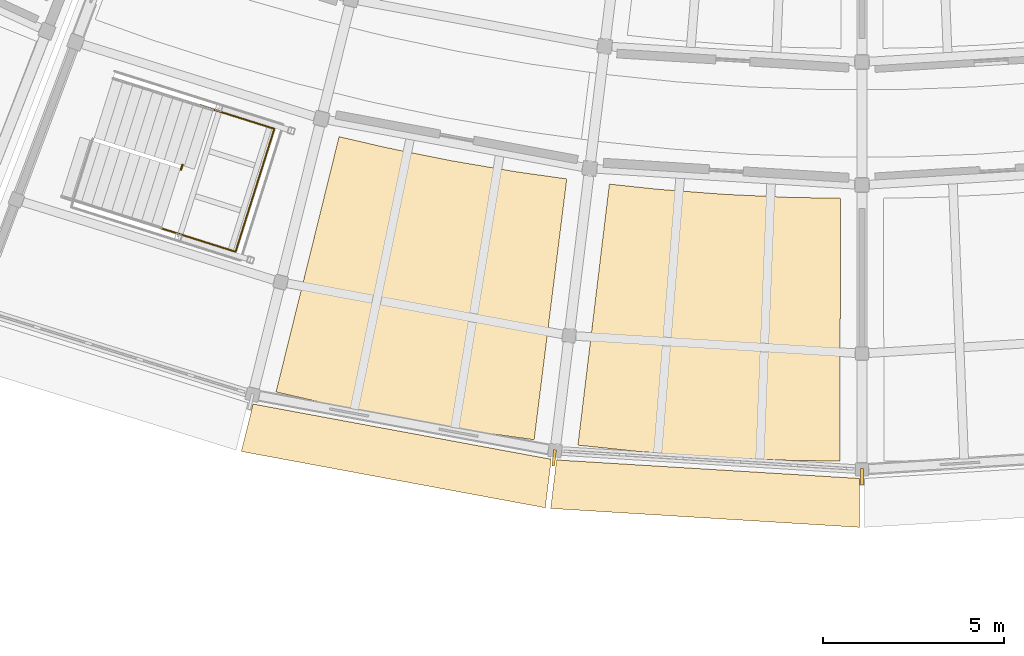
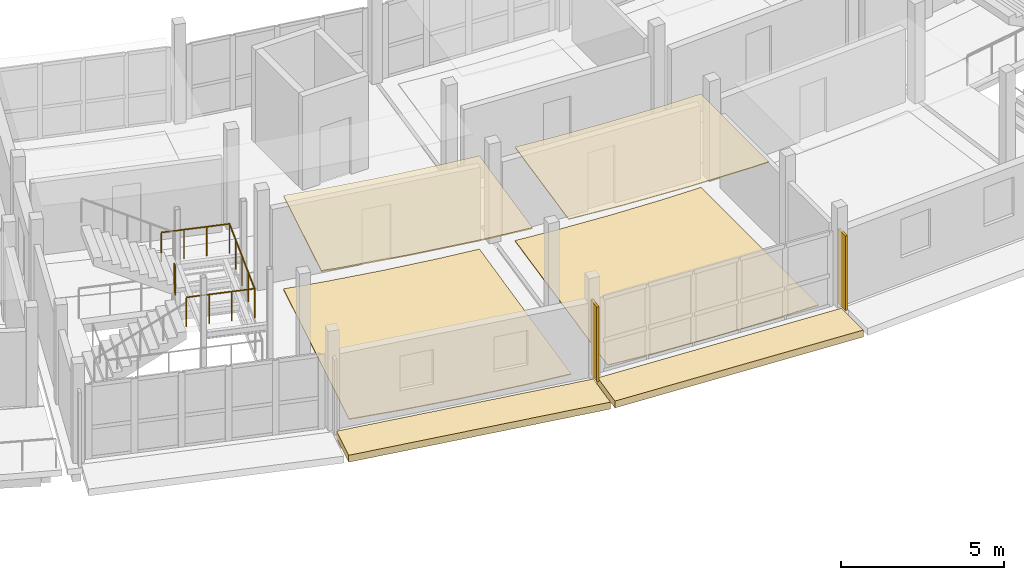
# One storey, part 31 of 36: 6 coverings, 2 railings, 2 shading devices.
"""IFC4 building model written with IfcOpenShell, lengths in metres."""

from ifc_helpers import new_model, si_unit, direction, frame, origin, origin_2d, place, context, subcontext, project, spatial, polyline, rectangle, circle, outline, extrude, material, layer, layer_set, type_object, element, save


model = new_model("IFC4")

# Units and contexts
model_context = context("Model", 3, precision=1e-05, world=origin(), true_north=direction((0.0, 1.0)))
body_context = subcontext(model_context, "Body", "Model", "MODEL_VIEW")
ifc_project = project(units=[si_unit("LENGTHUNIT", "METRE"), si_unit("AREAUNIT", "SQUARE_METRE"), si_unit("VOLUMEUNIT", "CUBIC_METRE"), si_unit("PLANEANGLEUNIT", "RADIAN"), si_unit("MASSUNIT", "GRAM", prefix="KILO")], contexts=[model_context])

# Site, building, storey
site_placement = place(None, origin())
site = spatial("IfcSite", under=ifc_project, at=site_placement, CompositionType="ELEMENT")
building_placement = place(site_placement, origin())
building = spatial("IfcBuilding", under=site, at=building_placement, Name="Caldaven Crescent School", CompositionType="ELEMENT")
storey_placement = place(building_placement, frame((0.0, 0.0, 11.89990234375)))
storey = spatial("IfcBuildingStorey", under=building, at=storey_placement, Name="L03", CompositionType="ELEMENT", Elevation=11.89990234375)

# Coverings
ifc_material_1 = material(Name="White architectural GFRC precast concrete C35/45 cladding", Category="concrete")
ifc_layer_1 = layer(ifc_material_1, 0.260009765625)
ifc_layer_set_1 = layer_set([ifc_layer_1], Name="White architectural GFRC precast concrete C35/45 cladding")
covering_type_1 = type_object("IfcCoveringType", Name="COV-CLD1", PredefinedType="CLADDING", material=ifc_layer_set_1)
covering_1_placement = place(storey_placement, frame((0.0, 0.0, -0.260009765625)))
element("IfcCovering", 1, at=covering_1_placement, inside=storey, type_object=covering_type_1, Name="CLD-OUT-L03-067", PredefinedType="CLADDING", context=body_context, shape_type="SweptSolid", body=[
    extrude(outline(polyline([(71.184814453125, 28.255615234375), (79.4208984375, 26.729248046875), (79.255126953125, 25.389404296875), (70.859619140625, 26.945556640625), (71.184814453125, 28.255615234375)])), origin(), (0.0, 0.0, 1.0), 0.260009765625),
])
covering_2_placement = place(storey_placement, frame((0.0, 0.0, -0.260009765625)))
element("IfcCovering", 2, at=covering_2_placement, inside=storey, type_object=covering_type_1, Name="CLD-OUT-L03-069", PredefinedType="CLADDING", context=body_context, shape_type="SweptSolid", body=[
    extrude(outline(polyline([(79.566162109375, 26.71142578125), (87.927001953125, 26.199951171875), (87.925537109375, 24.85009765625), (79.40283203125, 25.371337890625), (79.566162109375, 26.71142578125)])), origin(), (0.0, 0.0, 1.0), 0.260009765625),
])
ifc_material_2 = material(Name="Perforated Pino Radiata acoustic timber baffle ceiling", Category="wood")
ifc_layer_2 = layer(ifc_material_2, 0.030029296875)
ifc_layer_set_2 = layer_set([ifc_layer_2], Name="Perforated Pino Radiata acoustic timber baffle ceiling")
covering_type_2 = type_object("IfcCoveringType", Name="COV-CLG1", PredefinedType="CEILING", material=ifc_layer_set_2)
covering_3_placement = place(storey_placement, frame((0.0, 0.0, 3.510009765625)))
element("IfcCovering", 3, at=covering_3_placement, inside=storey, type_object=covering_type_2, Name="CLG-L03-172", PredefinedType="CEILING", context=body_context, shape_type="SweptSolid", body=[
    extrude(outline(polyline([(82.385009765625, 34.1845703125), (82.39794921875, 34.183349609375), (84.2041015625, 34.046142578125), (84.21728515625, 34.04541015625), (86.026611328125, 33.96142578125), (86.039794921875, 33.9609375), (87.40771484375, 33.937744140625), (87.39794921875, 29.739990234375), (86.85498046875, 29.739990234375), (84.566650390625, 29.819091796875), (82.2822265625, 29.977294921875), (80.5224609375, 30.16015625), (81.0244140625, 34.328125), (82.385009765625, 34.1845703125)])), origin(), (0.0, 0.0, 1.0), 0.030029296875),
])
ifc_layer_3 = layer(ifc_material_2, 0.0458984375)
ifc_layer_set_3 = layer_set([ifc_layer_3], Name="Perforated Pino Radiata acoustic timber baffle ceiling")
covering_type_3 = type_object("IfcCoveringType", Name="COV-CLG3", PredefinedType="CEILING", material=ifc_layer_set_3)
covering_4_placement = place(storey_placement, frame((0.0, 0.0, 3.494140625)))
element("IfcCovering", 4, at=covering_4_placement, inside=storey, type_object=covering_type_3, Name="CLG-L03-170", PredefinedType="CEILING", context=body_context, shape_type="SweptSolid", body=[
    extrude(outline(polyline([(74.893310546875, 35.32958984375), (74.90625, 35.326904296875), (76.68212890625, 34.970703125), (76.695068359375, 34.96826171875), (78.480712890625, 34.664306640625), (78.493896484375, 34.662353515625), (79.848388671875, 34.47265625), (79.327392578125, 30.306884765625), (77.57568359375, 30.55517578125), (75.32080078125, 30.954345703125), (73.081298828125, 31.43115234375), (72.554443359375, 31.5625), (73.560546875, 35.637939453125), (74.893310546875, 35.32958984375)])), origin(), (0.0, 0.0, 1.0), 0.0458984375),
])
ifc_material_3 = material(Name="Polished terrazzo and acoustic linoleum flooring")
ifc_layer_4 = layer(ifc_material_3, 0.02587890625)
ifc_layer_set_4 = layer_set([ifc_layer_4], Name="Polished terrazzo and acoustic linoleum flooring")
covering_type_4 = type_object("IfcCoveringType", Name="COV-FLR2", PredefinedType="FLOORING", material=ifc_layer_set_4)
covering_5_placement = place(storey_placement, origin())
element("IfcCovering", 5, at=covering_5_placement, inside=storey, type_object=covering_type_4, Name="FLR-L03-172", PredefinedType="FLOORING", context=body_context, shape_type="SweptSolid", body=[
    extrude(outline(polyline([(81.0244140625, 34.328125), (82.385009765625, 34.1845703125), (82.39794921875, 34.183349609375), (84.2041015625, 34.046142578125), (84.21728515625, 34.04541015625), (86.026611328125, 33.96142578125), (86.039794921875, 33.9609375), (87.40771484375, 33.937744140625), (87.390869140625, 26.677978515625), (85.80322265625, 26.704833984375), (83.767578125, 26.79931640625), (81.735595703125, 26.95361328125), (80.15625, 27.120361328125), (81.0244140625, 34.328125)])), origin(), (0.0, 0.0, 1.0), 0.026123046875),
])
ifc_layer_5 = layer(ifc_material_3, 0.031982421875)
ifc_layer_set_5 = layer_set([ifc_layer_5], Name="Polished terrazzo and acoustic linoleum flooring")
covering_type_5 = type_object("IfcCoveringType", Name="COV-FLR3", PredefinedType="FLOORING", material=ifc_layer_set_5)
covering_6_placement = place(storey_placement, origin())
element("IfcCovering", 6, at=covering_6_placement, inside=storey, type_object=covering_type_5, Name="FLR-L03-170", PredefinedType="FLOORING", context=body_context, shape_type="SweptSolid", body=[
    extrude(outline(polyline([(73.560546875, 35.637939453125), (74.893310546875, 35.32958984375), (74.90625, 35.326904296875), (76.68212890625, 34.970703125), (76.695068359375, 34.96826171875), (78.480712890625, 34.664306640625), (78.493896484375, 34.662353515625), (79.848388671875, 34.47265625), (78.947265625, 27.268798828125), (77.374755859375, 27.489013671875), (75.365478515625, 27.8310546875), (73.367431640625, 28.231689453125), (71.8203125, 28.589599609375), (73.560546875, 35.637939453125)])), origin(), (0.0, 0.0, 1.0), 0.031982421875),
])

# Railings
ifc_material_4 = material(Name="Powder-coated tubular steel balustrade ASTM A572 Grade 50", Category="steel")
railing_type = type_object("IfcRailingType", Name="RAL-INT2", PredefinedType="BALUSTRADE", material=ifc_material_4)
railing_1_placement = place(storey_placement, frame((68.65234375, 33.107177734375, 1.8701171875)))
element("IfcRailing", 7, at=railing_1_placement, inside=storey, type_object=railing_type, Name="GD-LND-ST2-L03", PredefinedType="BALUSTRADE", context=body_context, shape_type="SweptSolid", body=[
    extrude(circle(Radius=0.02392578125, at=origin_2d()), frame((0.0, 0.0, 1.09619140625), z_axis=(0.953723285408, -0.300685707794, 0.0), x_axis=(0.300685707794, 0.953723285408, 0.0)), (0.0, 0.0, 1.0), 2.150146484375),
    extrude(circle(Radius=0.02392578125, at=origin_2d()), frame((2.050537109375, -0.646484375, 1.09619140625), z_axis=(0.300671803588, 0.953727668953, 0.0), x_axis=(-0.953727668953, 0.300671803588, 0.0)), (0.0, 0.0, 1.0), 3.559814453125),
    extrude(circle(Radius=0.02392578125, at=origin_2d()), frame((3.120849609375, 2.74853515625, 1.09619140625), z_axis=(-0.953680442686, 0.300821563786, 0.0), x_axis=(-0.300821563786, -0.953680442686, 0.0)), (0.0, 0.0, 1.0), 2.14990234375),
    extrude(circle(Radius=0.02099609375, at=origin_2d()), origin(), (0.0, 0.0, 1.0), 1.072021484375),
    extrude(circle(Radius=0.02099609375, at=origin_2d()), frame((0.68359375, -0.215576171875, 0.0)), (0.0, 0.0, 1.0), 1.072021484375),
    extrude(circle(Radius=0.02099609375, at=origin_2d()), frame((1.366943359375, -0.430908203125, 0.0)), (0.0, 0.0, 1.0), 1.072021484375),
    extrude(circle(Radius=0.02099609375, at=origin_2d()), frame((2.050537109375, -0.646484375, 0.0)), (0.0, 0.0, 1.0), 1.072021484375),
    extrude(circle(Radius=0.02099609375, at=origin_2d()), frame((2.318115234375, 0.2021484375, 0.0)), (0.0, 0.0, 1.0), 1.072021484375),
    extrude(circle(Radius=0.02099609375, at=origin_2d()), frame((2.585693359375, 1.051025390625, 0.0)), (0.0, 0.0, 1.0), 1.072021484375),
    extrude(circle(Radius=0.02099609375, at=origin_2d()), frame((2.853271484375, 1.89990234375, 0.0)), (0.0, 0.0, 1.0), 1.072021484375),
    extrude(circle(Radius=0.02099609375, at=origin_2d()), frame((3.120849609375, 2.74853515625, 0.0)), (0.0, 0.0, 1.0), 1.072021484375),
    extrude(circle(Radius=0.02099609375, at=origin_2d()), frame((2.4375, 2.964111328125, 0.0)), (0.0, 0.0, 1.0), 1.072021484375),
    extrude(circle(Radius=0.02099609375, at=origin_2d()), frame((1.75390625, 3.1796875, 0.0)), (0.0, 0.0, 1.0), 1.072021484375),
    extrude(circle(Radius=0.02099609375, at=origin_2d()), frame((1.070556640625, 3.395263671875, 0.0)), (0.0, 0.0, 1.0), 1.072021484375),
])
railing_2_placement = place(storey_placement, frame((69.195068359375, 34.72900390625, 1.8701171875)))
element("IfcRailing", 8, at=railing_2_placement, inside=storey, type_object=railing_type, Name="GD-SLT-ST2-L03", PredefinedType="BALUSTRADE", context=body_context, shape_type="SweptSolid", body=[
    extrude(circle(Radius=0.02392578125, at=origin_2d()), frame((0.0, 0.0, 1.09619140625), z_axis=(0.301548442872, 0.953450856941, 0.0), x_axis=(-0.953450856941, 0.301548442872, 0.0)), (0.0, 0.0, 1.0), 0.14013671875),
    extrude(circle(Radius=0.02099609375, at=origin_2d()), origin(), (0.0, 0.0, 1.0), 1.072021484375),
    extrude(circle(Radius=0.02099609375, at=origin_2d()), frame((0.042236328125, 0.133544921875, 0.0)), (0.0, 0.0, 1.0), 1.072021484375),
])

# Shading devices
ifc_material_5 = material(Name="Bronze-anodised aluminium AA 6063-T6 sunshade", Category="aluminium")
ifc_layer_6 = layer(ifc_material_5, 0.080078125)
ifc_layer_set_6 = layer_set([ifc_layer_6], Name="Bronze-anodised aluminium AA 6063-T6 sunshade")
shading_device_type = type_object("IfcShadingDeviceType", Name="SHD-S04", PredefinedType="JALOUSIE", material=ifc_layer_set_6)
for number, where, z_axis, x_axis, name in (
    (9, (79.49951171875, 26.77001953125, 0.0), (0.0, 0.0, 1.0), (-0.121869343405, -0.992546151641, 0.0), "SHD-FIN-L03-051"),
    (10, (88.0, 26.25, 0.0), (0.0, 0.0, 1.0), (0.0, -1.0, 0.0), "SHD-FIN-L03-053"),
):
    element("IfcShadingDevice", number, at=place(storey_placement, frame(where, z_axis=z_axis, x_axis=x_axis)), inside=storey, type_object=shading_device_type, Name=name, PredefinedType="JALOUSIE", context=body_context, shape_type="SweptSolid", body=[
        extrude(rectangle(XDim=0.449951171875, YDim=0.080078125, at=origin_2d()), origin(), (0.0, 0.0, 1.0), 2.800048828125),
    ])

save(model, "model.ifc")
